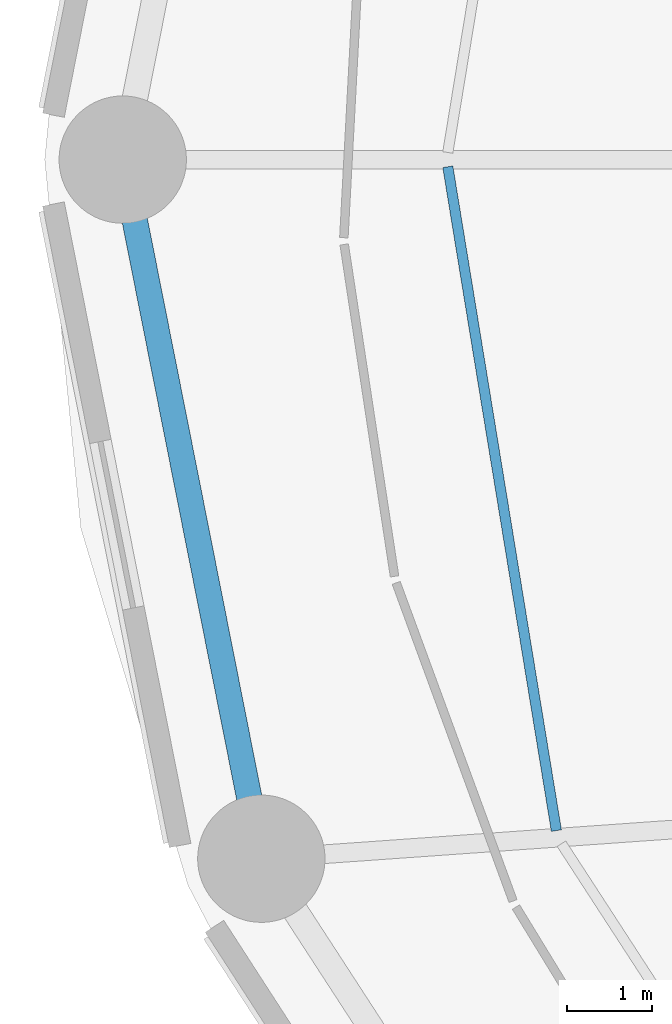
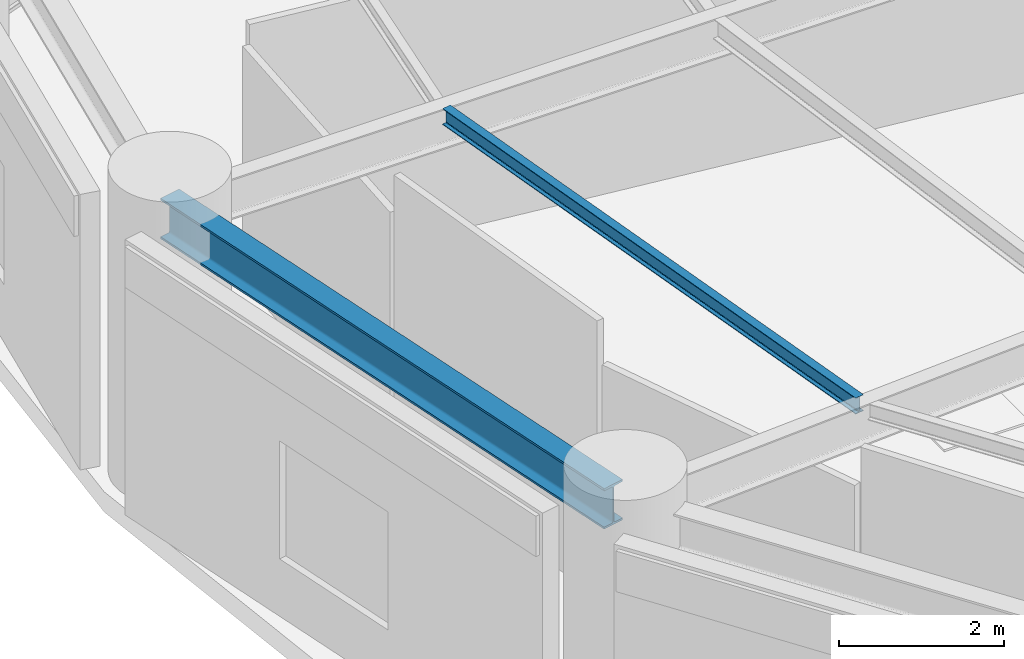
# One storey, part 13 of 53: 2 beams.
"""IFC4 building model written with IfcOpenShell, lengths in metres."""

from ifc_helpers import new_model, si_unit, direction, frame, origin, origin_2d, place, context, subcontext, project, spatial, i_section, extrude, material, material_profile, profile_set, type_object, element, save


model = new_model("IFC4")

# Units and contexts
model_context = context("Model", 3, precision=1e-05, world=origin(), true_north=direction((0.0, 1.0)))
body_context = subcontext(model_context, "Body", "Model", "MODEL_VIEW")
ifc_project = project(units=[si_unit("LENGTHUNIT", "METRE"), si_unit("AREAUNIT", "SQUARE_METRE"), si_unit("VOLUMEUNIT", "CUBIC_METRE"), si_unit("PLANEANGLEUNIT", "RADIAN"), si_unit("MASSUNIT", "GRAM", prefix="KILO")], contexts=[model_context])

# Site, building, storey
site_placement = place(None, origin())
site = spatial("IfcSite", under=ifc_project, at=site_placement, CompositionType="ELEMENT")
building_placement = place(site_placement, origin())
building = spatial("IfcBuilding", under=site, at=building_placement, Name="Kelanora Arch Commons", CompositionType="ELEMENT")
storey_placement = place(building_placement, frame((0.0, 0.0, 9.0)))
storey = spatial("IfcBuildingStorey", under=building, at=storey_placement, Name="L02", CompositionType="ELEMENT", Elevation=9.0)

# Beams
ifc_material = material(Name="Steel S355", Category="steel")
ifc_material_profile_1 = material_profile(ifc_material, i_section(OverallWidth=0.1201171875, OverallDepth=0.239990234375, WebThickness=0.006103515625, FlangeThickness=0.009765625, FilletRadius=0.014892578125, at=origin_2d()), Name="IPE240")
ifc_profile_set_1 = profile_set([ifc_material_profile_1], Name="Steel S355")
beam_type_1 = type_object("IfcBeamType", Name="BM-JST-02", PredefinedType="JOIST", material=ifc_profile_set_1)
beam_1_placement = place(storey_placement, frame((50.749755859375, 57.916015625, 3.97998046875), z_axis=(0.161400737199, -0.986888951216, 0.0), x_axis=(0.986888951216, 0.161400737199, 0.0)))
element("IfcBeam", 1, at=beam_1_placement, inside=storey, type_object=beam_type_1, Name="Secondary Chord Joist BJC-18 L02", PredefinedType="JOIST", context=body_context, shape_type="SweptSolid", body=[
    extrude(i_section(OverallWidth=0.1201171875, OverallDepth=0.239990234375, WebThickness=0.006103515625, FlangeThickness=0.009765625, FilletRadius=0.014892578125, at=origin_2d()), origin(), (0.0, 0.0, 1.0), 7.9248046875),
])
ifc_material_profile_2 = material_profile(ifc_material, i_section(OverallWidth=0.300048828125, OverallDepth=0.60009765625, WebThickness=0.015380859375, FlangeThickness=0.030029296875, FilletRadius=0.027099609375, at=origin_2d()), Name="HEB600")
ifc_profile_set_2 = profile_set([ifc_material_profile_2], Name="Steel S355")
beam_type_2 = type_object("IfcBeamType", Name="BM-SPN-Z1", PredefinedType="SPANDREL", material=ifc_profile_set_2)
beam_2_placement = place(storey_placement, frame((46.919921875, 58.0, 3.800048828125), z_axis=(0.194508025468, -0.980900926714, 0.0), x_axis=(0.980900926714, 0.194508025468, 0.0)))
element("IfcBeam", 2, at=beam_2_placement, inside=storey, type_object=beam_type_2, Name="Perimeter Spandrel Beam BS-18 L02", PredefinedType="SPANDREL", context=body_context, shape_type="SweptSolid", body=[
    extrude(i_section(OverallWidth=0.300048828125, OverallDepth=0.60009765625, WebThickness=0.015380859375, FlangeThickness=0.030029296875, FilletRadius=0.027099609375, at=origin_2d()), origin(), (0.0, 0.0, 1.0), 8.17626953125),
])

save(model, "model.ifc")
